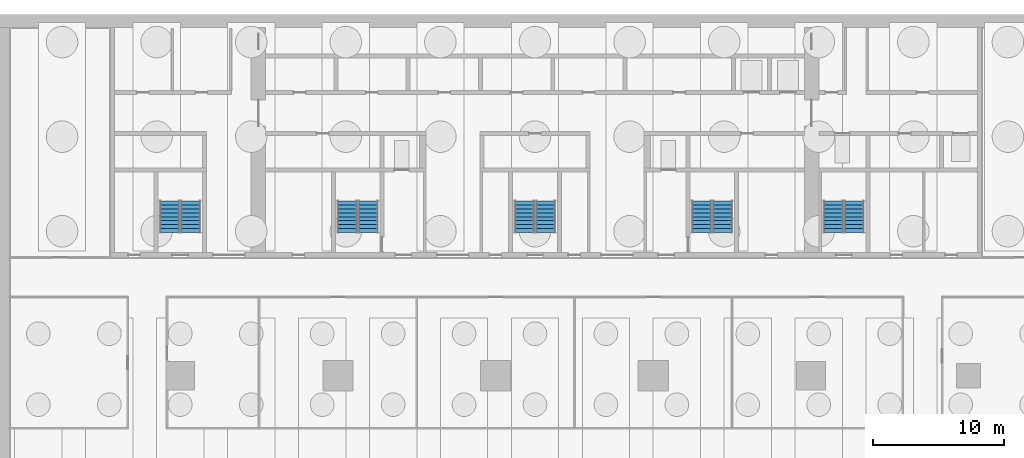
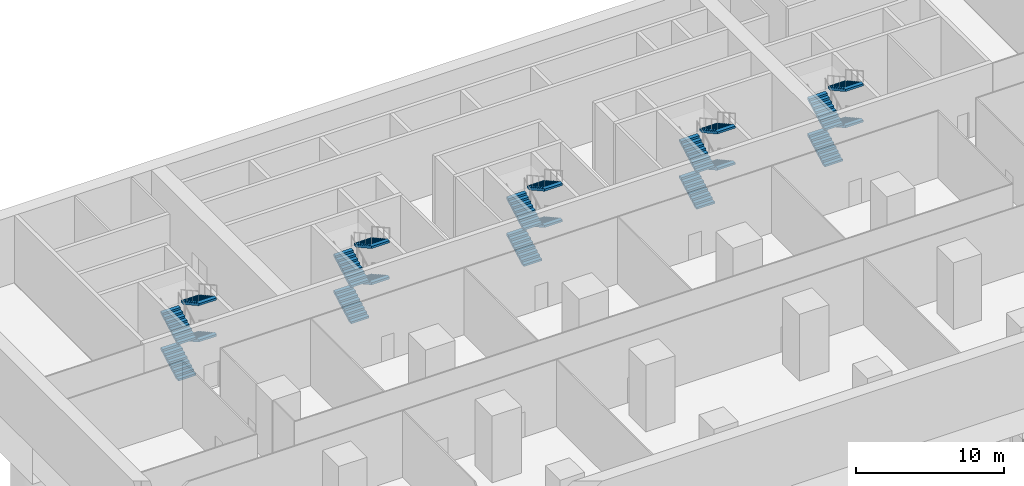
# One storey, part 8 of 11: 20 stair flights, 5 elements without a shape of their own.
"""IFC4 building model written with IfcOpenShell, lengths in metres."""

from ifc_helpers import new_model, si_unit, direction, frame, origin, place, context, subcontext, project, spatial, polyline, outline, extrude, material, type_object, element, aggregate, save


model = new_model("IFC4")

# Units and contexts
model_context = context("Model", 3, precision=1e-05, world=origin(), true_north=direction((0.0, 1.0)))
body_context = subcontext(model_context, "Body", "Model", "MODEL_VIEW")
ifc_project = project(units=[si_unit("LENGTHUNIT", "METRE"), si_unit("AREAUNIT", "SQUARE_METRE"), si_unit("VOLUMEUNIT", "CUBIC_METRE"), si_unit("PLANEANGLEUNIT", "RADIAN"), si_unit("MASSUNIT", "GRAM", prefix="KILO")], contexts=[model_context])

# Site, building, storey
site_placement = place(None, origin())
site = spatial("IfcSite", under=ifc_project, at=site_placement, CompositionType="ELEMENT")
building_placement = place(site_placement, origin())
building = spatial("IfcBuilding", under=site, at=building_placement, Name="Calvaro Tower", CompositionType="ELEMENT")
storey_placement = place(building_placement, frame((0.0, 0.0, -12.0)))
storey = spatial("IfcBuildingStorey", under=building, at=storey_placement, Name="B2", CompositionType="ELEMENT", Elevation=-12.0)

# Stair, stair flights
ifc_material_1 = material(Name="Concrete C40/50", Category="concrete")
stair_type = type_object("IfcStairType", Name="Exit stair 1400 4 flights", PredefinedType="DOUBLE_RETURN_STAIR", material=ifc_material_1)
stair_1_placement = place(storey_placement, origin())
stair_1 = element("IfcStair", 1, at=stair_1_placement, inside=storey, type_object=stair_type, Name="Exit stair S1", PredefinedType="DOUBLE_RETURN_STAIR")
ifc_material_2 = material(Name="Concrete C40/50", Category="concrete")
stair_flight_type = type_object("IfcStairFlightType", Name="Stair flight", PredefinedType="STRAIGHT", material=ifc_material_2)
stair_flight_1_placement = place(storey_placement, frame((11.199951171875, 29.89990234375, 0.0), z_axis=(0.0, 0.0, 1.0), x_axis=(0.0, 1.0, 0.0)))
stair_flight_1 = element("IfcStairFlight", 2, at=stair_flight_1_placement, type_object=stair_flight_type, Name="Exit stair 1, flight 1", NumberOfRisers=9, NumberOfTreads=8, PredefinedType="STRAIGHT", RiserHeight=0.166666667, TreadLength=0.3, context=body_context, shape_type="SweptSolid", body=[
    extrude(outline(polyline([(0.0, 0.0), (0.0, 0.166748046875), (0.300048828125, 0.166748046875), (0.300048828125, 0.333251953125), (0.60009765625, 0.333251953125), (0.60009765625, 0.5), (0.89990234375, 0.5), (0.89990234375, 0.666748046875), (1.199951171875, 0.666748046875), (1.199951171875, 0.833251953125), (1.5, 0.833251953125), (1.5, 1.0), (1.800048828125, 1.0), (1.800048828125, 1.166748046875), (2.10009765625, 1.166748046875), (2.10009765625, 1.333251953125), (2.39990234375, 1.333251953125), (2.39990234375, 1.5), (2.39990234375, 1.161865234375), (0.30859375, 0.0), (0.0, 0.0)])), frame((0.0, 0.699951171875, 0.0), z_axis=(0.0, -1.0, 0.0), x_axis=(1.0, 0.0, 0.0)), (0.0, 0.0, 1.0), 1.39990234375),
])
stair_flight_2_placement = place(storey_placement, frame((12.800048828125, 32.300048828125, 1.5), z_axis=(0.0, 0.0, 1.0), x_axis=(0.0, -1.0, 0.0)))
stair_flight_2 = element("IfcStairFlight", 3, at=stair_flight_2_placement, type_object=stair_flight_type, Name="Exit stair 1, flight 2", NumberOfRisers=9, NumberOfTreads=8, PredefinedType="STRAIGHT", RiserHeight=0.166666667, TreadLength=0.3, context=body_context, shape_type="SweptSolid", body=[
    extrude(outline(polyline([(0.0, 0.0), (0.0, 0.166748046875), (0.300048828125, 0.166748046875), (0.300048828125, 0.333251953125), (0.60009765625, 0.333251953125), (0.60009765625, 0.5), (0.89990234375, 0.5), (0.89990234375, 0.666748046875), (1.199951171875, 0.666748046875), (1.199951171875, 0.833251953125), (1.5, 0.833251953125), (1.5, 1.0), (1.800048828125, 1.0), (1.800048828125, 1.166748046875), (2.10009765625, 1.166748046875), (2.10009765625, 1.333251953125), (2.39990234375, 1.333251953125), (2.39990234375, 1.5), (2.39990234375, 1.161865234375), (0.30859375, 0.0), (0.0, 0.0)])), frame((0.0, 0.699951171875, 0.0), z_axis=(0.0, -1.0, 0.0), x_axis=(1.0, 0.0, 0.0)), (0.0, 0.0, 1.0), 1.39990234375),
])
stair_flight_3_placement = place(storey_placement, frame((11.199951171875, 29.89990234375, 3.0), z_axis=(0.0, 0.0, 1.0), x_axis=(0.0, 1.0, 0.0)))
stair_flight_3 = element("IfcStairFlight", 4, at=stair_flight_3_placement, type_object=stair_flight_type, Name="Exit stair 1, flight 3", NumberOfRisers=9, NumberOfTreads=8, PredefinedType="STRAIGHT", RiserHeight=0.166666667, TreadLength=0.3, context=body_context, shape_type="SweptSolid", body=[
    extrude(outline(polyline([(0.0, 0.0), (0.0, 0.166748046875), (0.300048828125, 0.166748046875), (0.300048828125, 0.333251953125), (0.60009765625, 0.333251953125), (0.60009765625, 0.5), (0.89990234375, 0.5), (0.89990234375, 0.666748046875), (1.199951171875, 0.666748046875), (1.199951171875, 0.833251953125), (1.5, 0.833251953125), (1.5, 1.0), (1.800048828125, 1.0), (1.800048828125, 1.166748046875), (2.10009765625, 1.166748046875), (2.10009765625, 1.333251953125), (2.39990234375, 1.333251953125), (2.39990234375, 1.5), (2.39990234375, 1.161865234375), (0.30859375, 0.0), (0.0, 0.0)])), frame((0.0, 0.699951171875, 0.0), z_axis=(0.0, -1.0, 0.0), x_axis=(1.0, 0.0, 0.0)), (0.0, 0.0, 1.0), 1.39990234375),
])
stair_flight_4_placement = place(storey_placement, frame((12.800048828125, 32.300048828125, 4.5), z_axis=(0.0, 0.0, 1.0), x_axis=(0.0, -1.0, 0.0)))
stair_flight_4 = element("IfcStairFlight", 5, at=stair_flight_4_placement, type_object=stair_flight_type, Name="Exit stair 1, flight 4", NumberOfRisers=9, NumberOfTreads=8, PredefinedType="STRAIGHT", RiserHeight=0.166666667, TreadLength=0.3, context=body_context, shape_type="SweptSolid", body=[
    extrude(outline(polyline([(0.0, 0.0), (0.0, 0.166748046875), (0.300048828125, 0.166748046875), (0.300048828125, 0.333251953125), (0.60009765625, 0.333251953125), (0.60009765625, 0.5), (0.89990234375, 0.5), (0.89990234375, 0.666748046875), (1.199951171875, 0.666748046875), (1.199951171875, 0.833251953125), (1.5, 0.833251953125), (1.5, 1.0), (1.800048828125, 1.0), (1.800048828125, 1.166748046875), (2.10009765625, 1.166748046875), (2.10009765625, 1.333251953125), (2.39990234375, 1.333251953125), (2.39990234375, 1.5), (2.39990234375, 1.161865234375), (0.30859375, 0.0), (0.0, 0.0)])), frame((0.0, 0.699951171875, 0.0), z_axis=(0.0, -1.0, 0.0), x_axis=(1.0, 0.0, 0.0)), (0.0, 0.0, 1.0), 1.39990234375),
])
aggregate(stair_1, [stair_flight_1, stair_flight_2, stair_flight_3, stair_flight_4])

stair_2_placement = place(storey_placement, origin())
stair_2 = element("IfcStair", 6, at=stair_2_placement, inside=storey, type_object=stair_type, Name="Exit stair S2", PredefinedType="DOUBLE_RETURN_STAIR")
stair_flight_5_placement = place(storey_placement, frame((24.699951171875, 29.89990234375, 0.0), z_axis=(0.0, 0.0, 1.0), x_axis=(0.0, 1.0, 0.0)))
stair_flight_5 = element("IfcStairFlight", 7, at=stair_flight_5_placement, type_object=stair_flight_type, Name="Exit stair 2, flight 1", NumberOfRisers=9, NumberOfTreads=8, PredefinedType="STRAIGHT", RiserHeight=0.166666667, TreadLength=0.3, context=body_context, shape_type="SweptSolid", body=[
    extrude(outline(polyline([(0.0, 0.0), (0.0, 0.166748046875), (0.300048828125, 0.166748046875), (0.300048828125, 0.333251953125), (0.60009765625, 0.333251953125), (0.60009765625, 0.5), (0.89990234375, 0.5), (0.89990234375, 0.666748046875), (1.199951171875, 0.666748046875), (1.199951171875, 0.833251953125), (1.5, 0.833251953125), (1.5, 1.0), (1.800048828125, 1.0), (1.800048828125, 1.166748046875), (2.10009765625, 1.166748046875), (2.10009765625, 1.333251953125), (2.39990234375, 1.333251953125), (2.39990234375, 1.5), (2.39990234375, 1.161865234375), (0.30859375, 0.0), (0.0, 0.0)])), frame((0.0, 0.699951171875, 0.0), z_axis=(0.0, -1.0, 0.0), x_axis=(1.0, 0.0, 0.0)), (0.0, 0.0, 1.0), 1.39990234375),
])
stair_flight_6_placement = place(storey_placement, frame((26.300048828125, 32.300048828125, 1.5), z_axis=(0.0, 0.0, 1.0), x_axis=(0.0, -1.0, 0.0)))
stair_flight_6 = element("IfcStairFlight", 8, at=stair_flight_6_placement, type_object=stair_flight_type, Name="Exit stair 2, flight 2", NumberOfRisers=9, NumberOfTreads=8, PredefinedType="STRAIGHT", RiserHeight=0.166666667, TreadLength=0.3, context=body_context, shape_type="SweptSolid", body=[
    extrude(outline(polyline([(0.0, 0.0), (0.0, 0.166748046875), (0.300048828125, 0.166748046875), (0.300048828125, 0.333251953125), (0.60009765625, 0.333251953125), (0.60009765625, 0.5), (0.89990234375, 0.5), (0.89990234375, 0.666748046875), (1.199951171875, 0.666748046875), (1.199951171875, 0.833251953125), (1.5, 0.833251953125), (1.5, 1.0), (1.800048828125, 1.0), (1.800048828125, 1.166748046875), (2.10009765625, 1.166748046875), (2.10009765625, 1.333251953125), (2.39990234375, 1.333251953125), (2.39990234375, 1.5), (2.39990234375, 1.161865234375), (0.30859375, 0.0), (0.0, 0.0)])), frame((0.0, 0.699951171875, 0.0), z_axis=(0.0, -1.0, 0.0), x_axis=(1.0, 0.0, 0.0)), (0.0, 0.0, 1.0), 1.39990234375),
])
stair_flight_7_placement = place(storey_placement, frame((24.699951171875, 29.89990234375, 3.0), z_axis=(0.0, 0.0, 1.0), x_axis=(0.0, 1.0, 0.0)))
stair_flight_7 = element("IfcStairFlight", 9, at=stair_flight_7_placement, type_object=stair_flight_type, Name="Exit stair 2, flight 3", NumberOfRisers=9, NumberOfTreads=8, PredefinedType="STRAIGHT", RiserHeight=0.166666667, TreadLength=0.3, context=body_context, shape_type="SweptSolid", body=[
    extrude(outline(polyline([(0.0, 0.0), (0.0, 0.166748046875), (0.300048828125, 0.166748046875), (0.300048828125, 0.333251953125), (0.60009765625, 0.333251953125), (0.60009765625, 0.5), (0.89990234375, 0.5), (0.89990234375, 0.666748046875), (1.199951171875, 0.666748046875), (1.199951171875, 0.833251953125), (1.5, 0.833251953125), (1.5, 1.0), (1.800048828125, 1.0), (1.800048828125, 1.166748046875), (2.10009765625, 1.166748046875), (2.10009765625, 1.333251953125), (2.39990234375, 1.333251953125), (2.39990234375, 1.5), (2.39990234375, 1.161865234375), (0.30859375, 0.0), (0.0, 0.0)])), frame((0.0, 0.699951171875, 0.0), z_axis=(0.0, -1.0, 0.0), x_axis=(1.0, 0.0, 0.0)), (0.0, 0.0, 1.0), 1.39990234375),
])
stair_flight_8_placement = place(storey_placement, frame((26.300048828125, 32.300048828125, 4.5), z_axis=(0.0, 0.0, 1.0), x_axis=(0.0, -1.0, 0.0)))
stair_flight_8 = element("IfcStairFlight", 10, at=stair_flight_8_placement, type_object=stair_flight_type, Name="Exit stair 2, flight 4", NumberOfRisers=9, NumberOfTreads=8, PredefinedType="STRAIGHT", RiserHeight=0.166666667, TreadLength=0.3, context=body_context, shape_type="SweptSolid", body=[
    extrude(outline(polyline([(0.0, 0.0), (0.0, 0.166748046875), (0.300048828125, 0.166748046875), (0.300048828125, 0.333251953125), (0.60009765625, 0.333251953125), (0.60009765625, 0.5), (0.89990234375, 0.5), (0.89990234375, 0.666748046875), (1.199951171875, 0.666748046875), (1.199951171875, 0.833251953125), (1.5, 0.833251953125), (1.5, 1.0), (1.800048828125, 1.0), (1.800048828125, 1.166748046875), (2.10009765625, 1.166748046875), (2.10009765625, 1.333251953125), (2.39990234375, 1.333251953125), (2.39990234375, 1.5), (2.39990234375, 1.161865234375), (0.30859375, 0.0), (0.0, 0.0)])), frame((0.0, 0.699951171875, 0.0), z_axis=(0.0, -1.0, 0.0), x_axis=(1.0, 0.0, 0.0)), (0.0, 0.0, 1.0), 1.39990234375),
])
aggregate(stair_2, [stair_flight_5, stair_flight_6, stair_flight_7, stair_flight_8])

stair_3_placement = place(storey_placement, origin())
stair_3 = element("IfcStair", 11, at=stair_3_placement, inside=storey, type_object=stair_type, Name="Exit stair S3", PredefinedType="DOUBLE_RETURN_STAIR")
stair_flight_9_placement = place(storey_placement, frame((38.199951171875, 29.89990234375, 0.0), z_axis=(0.0, 0.0, 1.0), x_axis=(0.0, 1.0, 0.0)))
stair_flight_9 = element("IfcStairFlight", 12, at=stair_flight_9_placement, type_object=stair_flight_type, Name="Exit stair 3, flight 1", NumberOfRisers=9, NumberOfTreads=8, PredefinedType="STRAIGHT", RiserHeight=0.166666667, TreadLength=0.3, context=body_context, shape_type="SweptSolid", body=[
    extrude(outline(polyline([(0.0, 0.0), (0.0, 0.166748046875), (0.300048828125, 0.166748046875), (0.300048828125, 0.333251953125), (0.60009765625, 0.333251953125), (0.60009765625, 0.5), (0.89990234375, 0.5), (0.89990234375, 0.666748046875), (1.199951171875, 0.666748046875), (1.199951171875, 0.833251953125), (1.5, 0.833251953125), (1.5, 1.0), (1.800048828125, 1.0), (1.800048828125, 1.166748046875), (2.10009765625, 1.166748046875), (2.10009765625, 1.333251953125), (2.39990234375, 1.333251953125), (2.39990234375, 1.5), (2.39990234375, 1.161865234375), (0.30859375, 0.0), (0.0, 0.0)])), frame((0.0, 0.699951171875, 0.0), z_axis=(0.0, -1.0, 0.0), x_axis=(1.0, 0.0, 0.0)), (0.0, 0.0, 1.0), 1.39990234375),
])
stair_flight_10_placement = place(storey_placement, frame((39.800048828125, 32.300048828125, 1.5), z_axis=(0.0, 0.0, 1.0), x_axis=(0.0, -1.0, 0.0)))
stair_flight_10 = element("IfcStairFlight", 13, at=stair_flight_10_placement, type_object=stair_flight_type, Name="Exit stair 3, flight 2", NumberOfRisers=9, NumberOfTreads=8, PredefinedType="STRAIGHT", RiserHeight=0.166666667, TreadLength=0.3, context=body_context, shape_type="SweptSolid", body=[
    extrude(outline(polyline([(0.0, 0.0), (0.0, 0.166748046875), (0.300048828125, 0.166748046875), (0.300048828125, 0.333251953125), (0.60009765625, 0.333251953125), (0.60009765625, 0.5), (0.89990234375, 0.5), (0.89990234375, 0.666748046875), (1.199951171875, 0.666748046875), (1.199951171875, 0.833251953125), (1.5, 0.833251953125), (1.5, 1.0), (1.800048828125, 1.0), (1.800048828125, 1.166748046875), (2.10009765625, 1.166748046875), (2.10009765625, 1.333251953125), (2.39990234375, 1.333251953125), (2.39990234375, 1.5), (2.39990234375, 1.161865234375), (0.30859375, 0.0), (0.0, 0.0)])), frame((0.0, 0.699951171875, 0.0), z_axis=(0.0, -1.0, 0.0), x_axis=(1.0, 0.0, 0.0)), (0.0, 0.0, 1.0), 1.39990234375),
])
stair_flight_11_placement = place(storey_placement, frame((38.199951171875, 29.89990234375, 3.0), z_axis=(0.0, 0.0, 1.0), x_axis=(0.0, 1.0, 0.0)))
stair_flight_11 = element("IfcStairFlight", 14, at=stair_flight_11_placement, type_object=stair_flight_type, Name="Exit stair 3, flight 3", NumberOfRisers=9, NumberOfTreads=8, PredefinedType="STRAIGHT", RiserHeight=0.166666667, TreadLength=0.3, context=body_context, shape_type="SweptSolid", body=[
    extrude(outline(polyline([(0.0, 0.0), (0.0, 0.166748046875), (0.300048828125, 0.166748046875), (0.300048828125, 0.333251953125), (0.60009765625, 0.333251953125), (0.60009765625, 0.5), (0.89990234375, 0.5), (0.89990234375, 0.666748046875), (1.199951171875, 0.666748046875), (1.199951171875, 0.833251953125), (1.5, 0.833251953125), (1.5, 1.0), (1.800048828125, 1.0), (1.800048828125, 1.166748046875), (2.10009765625, 1.166748046875), (2.10009765625, 1.333251953125), (2.39990234375, 1.333251953125), (2.39990234375, 1.5), (2.39990234375, 1.161865234375), (0.30859375, 0.0), (0.0, 0.0)])), frame((0.0, 0.699951171875, 0.0), z_axis=(0.0, -1.0, 0.0), x_axis=(1.0, 0.0, 0.0)), (0.0, 0.0, 1.0), 1.39990234375),
])
stair_flight_12_placement = place(storey_placement, frame((39.800048828125, 32.300048828125, 4.5), z_axis=(0.0, 0.0, 1.0), x_axis=(0.0, -1.0, 0.0)))
stair_flight_12 = element("IfcStairFlight", 15, at=stair_flight_12_placement, type_object=stair_flight_type, Name="Exit stair 3, flight 4", NumberOfRisers=9, NumberOfTreads=8, PredefinedType="STRAIGHT", RiserHeight=0.166666667, TreadLength=0.3, context=body_context, shape_type="SweptSolid", body=[
    extrude(outline(polyline([(0.0, 0.0), (0.0, 0.166748046875), (0.300048828125, 0.166748046875), (0.300048828125, 0.333251953125), (0.60009765625, 0.333251953125), (0.60009765625, 0.5), (0.89990234375, 0.5), (0.89990234375, 0.666748046875), (1.199951171875, 0.666748046875), (1.199951171875, 0.833251953125), (1.5, 0.833251953125), (1.5, 1.0), (1.800048828125, 1.0), (1.800048828125, 1.166748046875), (2.10009765625, 1.166748046875), (2.10009765625, 1.333251953125), (2.39990234375, 1.333251953125), (2.39990234375, 1.5), (2.39990234375, 1.161865234375), (0.30859375, 0.0), (0.0, 0.0)])), frame((0.0, 0.699951171875, 0.0), z_axis=(0.0, -1.0, 0.0), x_axis=(1.0, 0.0, 0.0)), (0.0, 0.0, 1.0), 1.39990234375),
])
aggregate(stair_3, [stair_flight_9, stair_flight_10, stair_flight_11, stair_flight_12])

stair_4_placement = place(storey_placement, origin())
stair_4 = element("IfcStair", 16, at=stair_4_placement, inside=storey, type_object=stair_type, Name="Exit stair S4", PredefinedType="DOUBLE_RETURN_STAIR")
stair_flight_13_placement = place(storey_placement, frame((51.699951171875, 29.89990234375, 0.0), z_axis=(0.0, 0.0, 1.0), x_axis=(0.0, 1.0, 0.0)))
stair_flight_13 = element("IfcStairFlight", 17, at=stair_flight_13_placement, type_object=stair_flight_type, Name="Exit stair 4, flight 1", NumberOfRisers=9, NumberOfTreads=8, PredefinedType="STRAIGHT", RiserHeight=0.166666667, TreadLength=0.3, context=body_context, shape_type="SweptSolid", body=[
    extrude(outline(polyline([(0.0, 0.0), (0.0, 0.166748046875), (0.300048828125, 0.166748046875), (0.300048828125, 0.333251953125), (0.60009765625, 0.333251953125), (0.60009765625, 0.5), (0.89990234375, 0.5), (0.89990234375, 0.666748046875), (1.199951171875, 0.666748046875), (1.199951171875, 0.833251953125), (1.5, 0.833251953125), (1.5, 1.0), (1.800048828125, 1.0), (1.800048828125, 1.166748046875), (2.10009765625, 1.166748046875), (2.10009765625, 1.333251953125), (2.39990234375, 1.333251953125), (2.39990234375, 1.5), (2.39990234375, 1.161865234375), (0.30859375, 0.0), (0.0, 0.0)])), frame((0.0, 0.699951171875, 0.0), z_axis=(0.0, -1.0, 0.0), x_axis=(1.0, 0.0, 0.0)), (0.0, 0.0, 1.0), 1.39990234375),
])
stair_flight_14_placement = place(storey_placement, frame((53.300048828125, 32.300048828125, 1.5), z_axis=(0.0, 0.0, 1.0), x_axis=(0.0, -1.0, 0.0)))
stair_flight_14 = element("IfcStairFlight", 18, at=stair_flight_14_placement, type_object=stair_flight_type, Name="Exit stair 4, flight 2", NumberOfRisers=9, NumberOfTreads=8, PredefinedType="STRAIGHT", RiserHeight=0.166666667, TreadLength=0.3, context=body_context, shape_type="SweptSolid", body=[
    extrude(outline(polyline([(0.0, 0.0), (0.0, 0.166748046875), (0.300048828125, 0.166748046875), (0.300048828125, 0.333251953125), (0.60009765625, 0.333251953125), (0.60009765625, 0.5), (0.89990234375, 0.5), (0.89990234375, 0.666748046875), (1.199951171875, 0.666748046875), (1.199951171875, 0.833251953125), (1.5, 0.833251953125), (1.5, 1.0), (1.800048828125, 1.0), (1.800048828125, 1.166748046875), (2.10009765625, 1.166748046875), (2.10009765625, 1.333251953125), (2.39990234375, 1.333251953125), (2.39990234375, 1.5), (2.39990234375, 1.161865234375), (0.30859375, 0.0), (0.0, 0.0)])), frame((0.0, 0.699951171875, 0.0), z_axis=(0.0, -1.0, 0.0), x_axis=(1.0, 0.0, 0.0)), (0.0, 0.0, 1.0), 1.39990234375),
])
stair_flight_15_placement = place(storey_placement, frame((51.699951171875, 29.89990234375, 3.0), z_axis=(0.0, 0.0, 1.0), x_axis=(0.0, 1.0, 0.0)))
stair_flight_15 = element("IfcStairFlight", 19, at=stair_flight_15_placement, type_object=stair_flight_type, Name="Exit stair 4, flight 3", NumberOfRisers=9, NumberOfTreads=8, PredefinedType="STRAIGHT", RiserHeight=0.166666667, TreadLength=0.3, context=body_context, shape_type="SweptSolid", body=[
    extrude(outline(polyline([(0.0, 0.0), (0.0, 0.166748046875), (0.300048828125, 0.166748046875), (0.300048828125, 0.333251953125), (0.60009765625, 0.333251953125), (0.60009765625, 0.5), (0.89990234375, 0.5), (0.89990234375, 0.666748046875), (1.199951171875, 0.666748046875), (1.199951171875, 0.833251953125), (1.5, 0.833251953125), (1.5, 1.0), (1.800048828125, 1.0), (1.800048828125, 1.166748046875), (2.10009765625, 1.166748046875), (2.10009765625, 1.333251953125), (2.39990234375, 1.333251953125), (2.39990234375, 1.5), (2.39990234375, 1.161865234375), (0.30859375, 0.0), (0.0, 0.0)])), frame((0.0, 0.699951171875, 0.0), z_axis=(0.0, -1.0, 0.0), x_axis=(1.0, 0.0, 0.0)), (0.0, 0.0, 1.0), 1.39990234375),
])
stair_flight_16_placement = place(storey_placement, frame((53.300048828125, 32.300048828125, 4.5), z_axis=(0.0, 0.0, 1.0), x_axis=(0.0, -1.0, 0.0)))
stair_flight_16 = element("IfcStairFlight", 20, at=stair_flight_16_placement, type_object=stair_flight_type, Name="Exit stair 4, flight 4", NumberOfRisers=9, NumberOfTreads=8, PredefinedType="STRAIGHT", RiserHeight=0.166666667, TreadLength=0.3, context=body_context, shape_type="SweptSolid", body=[
    extrude(outline(polyline([(0.0, 0.0), (0.0, 0.166748046875), (0.300048828125, 0.166748046875), (0.300048828125, 0.333251953125), (0.60009765625, 0.333251953125), (0.60009765625, 0.5), (0.89990234375, 0.5), (0.89990234375, 0.666748046875), (1.199951171875, 0.666748046875), (1.199951171875, 0.833251953125), (1.5, 0.833251953125), (1.5, 1.0), (1.800048828125, 1.0), (1.800048828125, 1.166748046875), (2.10009765625, 1.166748046875), (2.10009765625, 1.333251953125), (2.39990234375, 1.333251953125), (2.39990234375, 1.5), (2.39990234375, 1.161865234375), (0.30859375, 0.0), (0.0, 0.0)])), frame((0.0, 0.699951171875, 0.0), z_axis=(0.0, -1.0, 0.0), x_axis=(1.0, 0.0, 0.0)), (0.0, 0.0, 1.0), 1.39990234375),
])
aggregate(stair_4, [stair_flight_13, stair_flight_14, stair_flight_15, stair_flight_16])

stair_5_placement = place(storey_placement, origin())
stair_5 = element("IfcStair", 21, at=stair_5_placement, inside=storey, type_object=stair_type, Name="Exit stair S5", PredefinedType="DOUBLE_RETURN_STAIR")
stair_flight_17_placement = place(storey_placement, frame((61.699951171875, 29.89990234375, 0.0), z_axis=(0.0, 0.0, 1.0), x_axis=(0.0, 1.0, 0.0)))
stair_flight_17 = element("IfcStairFlight", 22, at=stair_flight_17_placement, type_object=stair_flight_type, Name="Exit stair 5, flight 1", NumberOfRisers=9, NumberOfTreads=8, PredefinedType="STRAIGHT", RiserHeight=0.166666667, TreadLength=0.3, context=body_context, shape_type="SweptSolid", body=[
    extrude(outline(polyline([(0.0, 0.0), (0.0, 0.166748046875), (0.300048828125, 0.166748046875), (0.300048828125, 0.333251953125), (0.60009765625, 0.333251953125), (0.60009765625, 0.5), (0.89990234375, 0.5), (0.89990234375, 0.666748046875), (1.199951171875, 0.666748046875), (1.199951171875, 0.833251953125), (1.5, 0.833251953125), (1.5, 1.0), (1.800048828125, 1.0), (1.800048828125, 1.166748046875), (2.10009765625, 1.166748046875), (2.10009765625, 1.333251953125), (2.39990234375, 1.333251953125), (2.39990234375, 1.5), (2.39990234375, 1.161865234375), (0.30859375, 0.0), (0.0, 0.0)])), frame((0.0, 0.699951171875, 0.0), z_axis=(0.0, -1.0, 0.0), x_axis=(1.0, 0.0, 0.0)), (0.0, 0.0, 1.0), 1.39990234375),
])
stair_flight_18_placement = place(storey_placement, frame((63.300048828125, 32.300048828125, 1.5), z_axis=(0.0, 0.0, 1.0), x_axis=(0.0, -1.0, 0.0)))
stair_flight_18 = element("IfcStairFlight", 23, at=stair_flight_18_placement, type_object=stair_flight_type, Name="Exit stair 5, flight 2", NumberOfRisers=9, NumberOfTreads=8, PredefinedType="STRAIGHT", RiserHeight=0.166666667, TreadLength=0.3, context=body_context, shape_type="SweptSolid", body=[
    extrude(outline(polyline([(0.0, 0.0), (0.0, 0.166748046875), (0.300048828125, 0.166748046875), (0.300048828125, 0.333251953125), (0.60009765625, 0.333251953125), (0.60009765625, 0.5), (0.89990234375, 0.5), (0.89990234375, 0.666748046875), (1.199951171875, 0.666748046875), (1.199951171875, 0.833251953125), (1.5, 0.833251953125), (1.5, 1.0), (1.800048828125, 1.0), (1.800048828125, 1.166748046875), (2.10009765625, 1.166748046875), (2.10009765625, 1.333251953125), (2.39990234375, 1.333251953125), (2.39990234375, 1.5), (2.39990234375, 1.161865234375), (0.30859375, 0.0), (0.0, 0.0)])), frame((0.0, 0.699951171875, 0.0), z_axis=(0.0, -1.0, 0.0), x_axis=(1.0, 0.0, 0.0)), (0.0, 0.0, 1.0), 1.39990234375),
])
stair_flight_19_placement = place(storey_placement, frame((61.699951171875, 29.89990234375, 3.0), z_axis=(0.0, 0.0, 1.0), x_axis=(0.0, 1.0, 0.0)))
stair_flight_19 = element("IfcStairFlight", 24, at=stair_flight_19_placement, type_object=stair_flight_type, Name="Exit stair 5, flight 3", NumberOfRisers=9, NumberOfTreads=8, PredefinedType="STRAIGHT", RiserHeight=0.166666667, TreadLength=0.3, context=body_context, shape_type="SweptSolid", body=[
    extrude(outline(polyline([(0.0, 0.0), (0.0, 0.166748046875), (0.300048828125, 0.166748046875), (0.300048828125, 0.333251953125), (0.60009765625, 0.333251953125), (0.60009765625, 0.5), (0.89990234375, 0.5), (0.89990234375, 0.666748046875), (1.199951171875, 0.666748046875), (1.199951171875, 0.833251953125), (1.5, 0.833251953125), (1.5, 1.0), (1.800048828125, 1.0), (1.800048828125, 1.166748046875), (2.10009765625, 1.166748046875), (2.10009765625, 1.333251953125), (2.39990234375, 1.333251953125), (2.39990234375, 1.5), (2.39990234375, 1.161865234375), (0.30859375, 0.0), (0.0, 0.0)])), frame((0.0, 0.699951171875, 0.0), z_axis=(0.0, -1.0, 0.0), x_axis=(1.0, 0.0, 0.0)), (0.0, 0.0, 1.0), 1.39990234375),
])
stair_flight_20_placement = place(storey_placement, frame((63.300048828125, 32.300048828125, 4.5), z_axis=(0.0, 0.0, 1.0), x_axis=(0.0, -1.0, 0.0)))
stair_flight_20 = element("IfcStairFlight", 25, at=stair_flight_20_placement, type_object=stair_flight_type, Name="Exit stair 5, flight 4", NumberOfRisers=9, NumberOfTreads=8, PredefinedType="STRAIGHT", RiserHeight=0.166666667, TreadLength=0.3, context=body_context, shape_type="SweptSolid", body=[
    extrude(outline(polyline([(0.0, 0.0), (0.0, 0.166748046875), (0.300048828125, 0.166748046875), (0.300048828125, 0.333251953125), (0.60009765625, 0.333251953125), (0.60009765625, 0.5), (0.89990234375, 0.5), (0.89990234375, 0.666748046875), (1.199951171875, 0.666748046875), (1.199951171875, 0.833251953125), (1.5, 0.833251953125), (1.5, 1.0), (1.800048828125, 1.0), (1.800048828125, 1.166748046875), (2.10009765625, 1.166748046875), (2.10009765625, 1.333251953125), (2.39990234375, 1.333251953125), (2.39990234375, 1.5), (2.39990234375, 1.161865234375), (0.30859375, 0.0), (0.0, 0.0)])), frame((0.0, 0.699951171875, 0.0), z_axis=(0.0, -1.0, 0.0), x_axis=(1.0, 0.0, 0.0)), (0.0, 0.0, 1.0), 1.39990234375),
])
aggregate(stair_5, [stair_flight_17, stair_flight_18, stair_flight_19, stair_flight_20])

save(model, "model.ifc")
